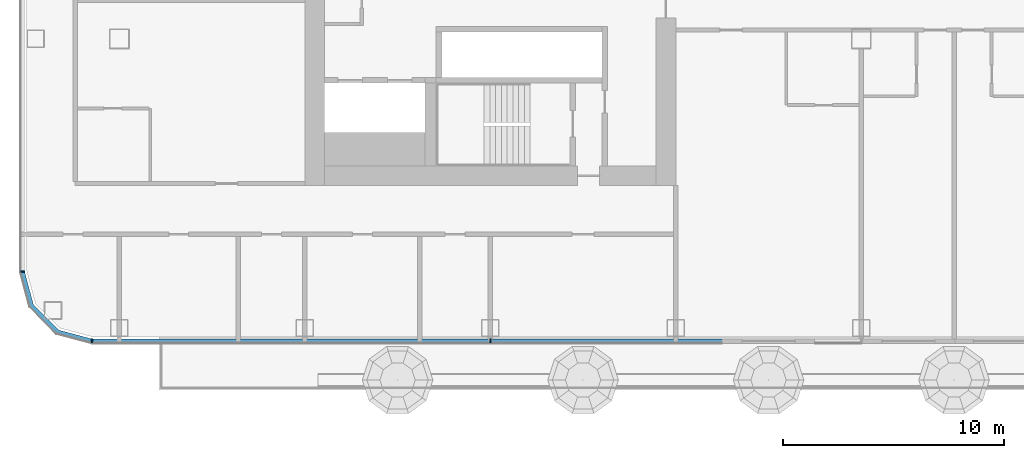
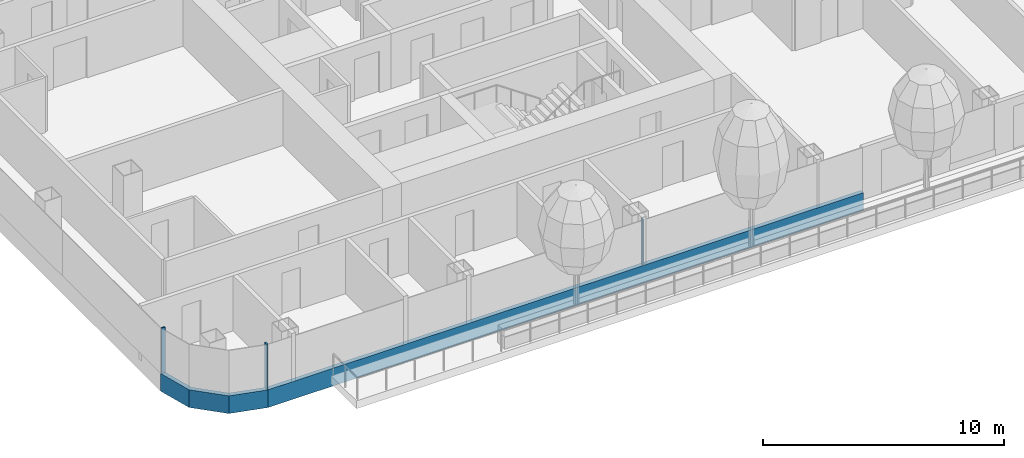
# One storey, part 2 of 33: 5 members, 3 elements without a shape of their own.
"""IFC4 building model written with IfcOpenShell, lengths in metres."""

from ifc_helpers import new_model, si_unit, direction, frame, origin, origin_2d, place, context, subcontext, project, spatial, polyline, rectangle, outline, extrude, material, layer, layer_set, material_profile, profile_set, type_object, element, aggregate, save


model = new_model("IFC4")

# Units and contexts
model_context = context("Model", 3, precision=1e-05, world=origin(), true_north=direction((0.0, 1.0)))
body_context = subcontext(model_context, "Body", "Model", "MODEL_VIEW")
ifc_project = project(units=[si_unit("LENGTHUNIT", "METRE"), si_unit("AREAUNIT", "SQUARE_METRE"), si_unit("VOLUMEUNIT", "CUBIC_METRE"), si_unit("PLANEANGLEUNIT", "RADIAN"), si_unit("MASSUNIT", "GRAM", prefix="KILO")], contexts=[model_context])

# Site, building, storey
site_placement = place(None, origin())
site = spatial("IfcSite", under=ifc_project, at=site_placement, CompositionType="ELEMENT")
building_placement = place(site_placement, origin())
building = spatial("IfcBuilding", under=site, at=building_placement, Name="Hakoniwa Tower and Hamabe Station Hall", CompositionType="ELEMENT")
storey_placement = place(building_placement, frame((0.0, 0.0, 81.800048828125)))
storey = spatial("IfcBuildingStorey", under=building, at=storey_placement, Name="L22", CompositionType="ELEMENT", Elevation=81.800048828125)

# Curtain wall, member
ifc_material_1 = material(Name="Dark low-e laminated glass", Category="glass")
ifc_layer = layer(ifc_material_1, 0.199951171875)
ifc_layer_set = layer_set([ifc_layer], Name="CW-1 UNITISED GUEST")
curtain_wall_type = type_object("IfcCurtainWallType", Name="CW-1 UNITISED GUEST", PredefinedType="NOTDEFINED", material=ifc_layer_set)
curtain_wall_1_placement = place(storey_placement, origin())
curtain_wall_1 = element("IfcCurtainWall", 1, at=curtain_wall_1_placement, inside=storey, type_object=curtain_wall_type, Name="CW-1 curtain wall", PredefinedType="NOTDEFINED")
ifc_material_2 = material(Name="Aluminium 6063-T5 black anodised", Category="aluminium")
ifc_material_profile_1 = material_profile(ifc_material_2, rectangle(XDim=0.199951171875, YDim=0.89990234375, at=origin_2d()), Name="CW SLAB-EDGE BAND 900X200")
ifc_profile_set_1 = profile_set([ifc_material_profile_1], Name="Aluminium 6063-T5 black anodised")
member_type_1 = type_object("IfcMemberType", Name="CW SLAB-EDGE BAND 900X200", PredefinedType="USERDEFINED", material=ifc_profile_set_1)
member_1_placement = place(storey_placement, frame((0.0, 0.0, -0.550048828125)))
member_1 = element("IfcMember", 2, at=member_1_placement, type_object=member_type_1, Name="CW-1 transom", ObjectType="TRANSOM", PredefinedType="USERDEFINED", context=body_context, shape_type="SweptSolid", body=[
    extrude(outline(polyline([(-46.5, -12.28955078125), (-46.067138671875, -13.9052734375), (-44.855224609375, -15.116943359375), (-43.239501953125, -15.550048828125), (-43.187744140625, -15.35693359375), (-44.751708984375, -14.937744140625), (-45.8876953125, -13.8017578125), (-46.306884765625, -12.23779296875), (-46.5, -12.28955078125)])), origin(), (0.0, 0.0, 1.0), 0.89990234375),
])
aggregate(curtain_wall_1, [member_1])

curtain_wall_2_placement = place(storey_placement, origin())
curtain_wall_2 = element("IfcCurtainWall", 3, at=curtain_wall_2_placement, inside=storey, type_object=curtain_wall_type, Name="CW-1 curtain wall", PredefinedType="NOTDEFINED")
member_2_placement = place(storey_placement, frame((-43.239501953125, -15.449951171875, -0.10009765625), z_axis=(1.0, 0.0, 0.0), x_axis=(0.0, 1.0, 0.0)))
member_2 = element("IfcMember", 4, at=member_2_placement, type_object=member_type_1, Name="CW-1 transom", ObjectType="TRANSOM", PredefinedType="USERDEFINED", context=body_context, shape_type="SweptSolid", body=[
    extrude(rectangle(XDim=0.199951171875, YDim=0.89990234375, at=origin_2d()), origin(), (0.0, 0.0, 1.0), 28.569580078125),
])

curtain_wall_3_placement = place(storey_placement, origin())
curtain_wall_3 = element("IfcCurtainWall", 5, at=curtain_wall_3_placement, inside=storey, type_object=curtain_wall_type, Name="CW-1 curtain wall", PredefinedType="NOTDEFINED")
ifc_material_3 = material(Name="Aluminium 6063-T5 black anodised", Category="aluminium")
ifc_material_profile_2 = material_profile(ifc_material_3, rectangle(XDim=0.06005859375, YDim=0.179931640625, at=origin_2d()), Name="CW-1 MULLION 60X180")
ifc_profile_set_2 = profile_set([ifc_material_profile_2], Name="Aluminium 6063-T5 black anodised")
member_type_2 = type_object("IfcMemberType", Name="CW-1 MULLION 60X180", PredefinedType="MULLION", material=ifc_profile_set_2)
member_3_placement = place(storey_placement, frame((-46.382080078125, -12.28955078125, 0.349853515625), z_axis=(0.0, 0.0, 1.0), x_axis=(0.0, -1.0, 0.0)))
member_3 = element("IfcMember", 6, at=member_3_placement, type_object=member_type_2, Name="CW-1 mullion", PredefinedType="MULLION", context=body_context, shape_type="SweptSolid", body=[
    extrude(rectangle(XDim=0.06005859375, YDim=0.179931640625, at=origin_2d()), origin(), (0.0, 0.0, 1.0), 2.300048828125),
])
aggregate(curtain_wall_3, [member_3])

# Member
member_4_placement = place(storey_placement, frame((-43.239501953125, -15.431884765625, 0.349853515625), z_axis=(0.0, 0.0, 1.0), x_axis=(1.0, 0.0, 0.0)))
member_4 = element("IfcMember", 7, at=member_4_placement, type_object=member_type_2, Name="CW-1 mullion", PredefinedType="MULLION", context=body_context, shape_type="SweptSolid", body=[
    extrude(rectangle(XDim=0.06005859375, YDim=0.179931640625, at=origin_2d()), origin(), (0.0, 0.0, 1.0), 2.300048828125),
])

member_5_placement = place(storey_placement, frame((-25.199951171875, -15.431884765625, 0.349853515625), z_axis=(0.0, 0.0, 1.0), x_axis=(1.0, 0.0, 0.0)))
member_5 = element("IfcMember", 8, at=member_5_placement, type_object=member_type_2, Name="CW-1 mullion", PredefinedType="MULLION", context=body_context, shape_type="SweptSolid", body=[
    extrude(rectangle(XDim=0.06005859375, YDim=0.179931640625, at=origin_2d()), origin(), (0.0, 0.0, 1.0), 2.300048828125),
])

aggregate(curtain_wall_2, [member_4, member_5, member_2])

save(model, "model.ifc")
